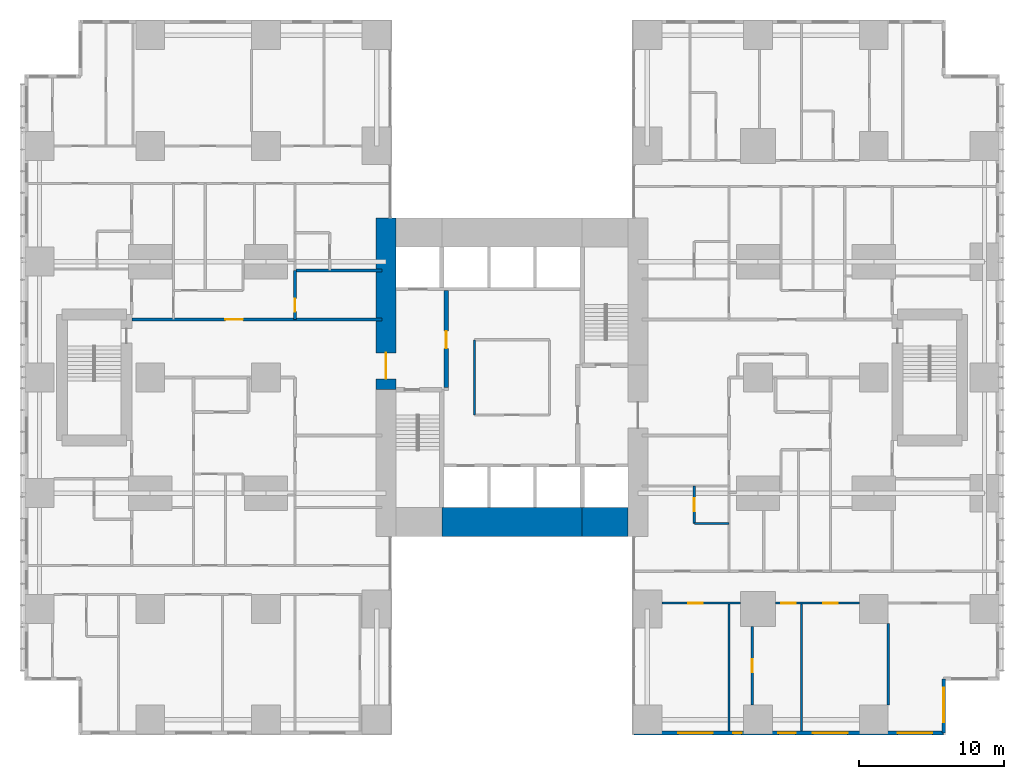
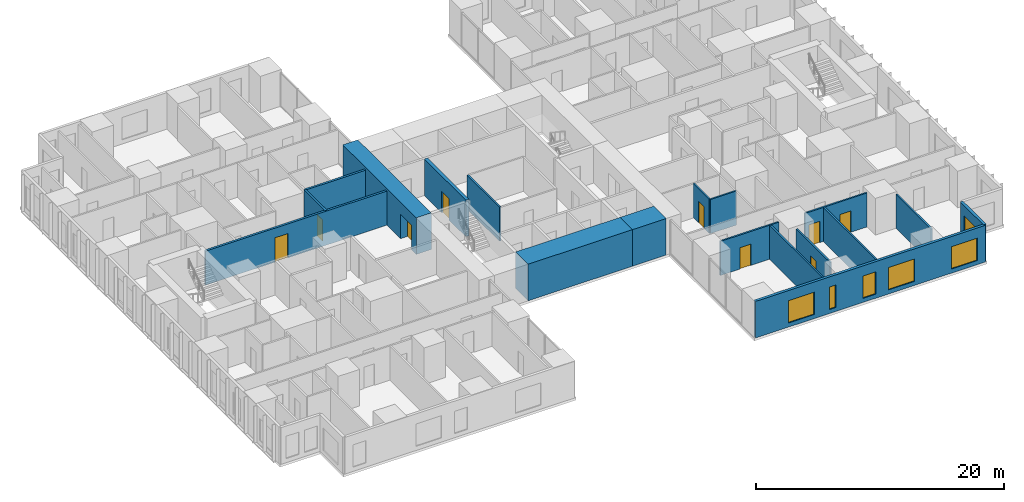
# One storey, part 14 of 20: 18 walls, 9 doors, 6 windows, 15 openings.
"""IFC4 building model written with IfcOpenShell, lengths in metres."""

from ifc_helpers import new_model, si_unit, direction, frame, frame_2d, origin, place, context, subcontext, project, spatial, rectangle, extrude, material, layer, layer_set, type_object, element, fill, save


model = new_model("IFC4")

# Units and contexts
model_context = context("Model", 3, precision=1e-05, world=origin(), true_north=direction((0.0, 1.0)))
body_context = subcontext(model_context, "Body", "Model", "MODEL_VIEW")
ifc_project = project(units=[si_unit("LENGTHUNIT", "METRE"), si_unit("AREAUNIT", "SQUARE_METRE"), si_unit("VOLUMEUNIT", "CUBIC_METRE"), si_unit("PLANEANGLEUNIT", "RADIAN"), si_unit("MASSUNIT", "GRAM", prefix="KILO")], contexts=[model_context])

# Site, building, storey
site_placement = place(None, origin())
site = spatial("IfcSite", under=ifc_project, at=site_placement, CompositionType="ELEMENT")
building_placement = place(site_placement, origin())
building = spatial("IfcBuilding", under=site, at=building_placement, Name="Cleftline Residences", CompositionType="ELEMENT")
storey_placement = place(building_placement, frame((0.0, 0.0, 150.199951171875)))
storey = spatial("IfcBuildingStorey", under=building, at=storey_placement, Name="L39", CompositionType="ELEMENT", Elevation=150.199951171875)

# Wall, opening, door
ifc_material_1 = material(Name="Concrete B70", Category="concrete")
ifc_layer_1 = layer(ifc_material_1, 1.39990234375)
ifc_layer_set_1 = layer_set([ifc_layer_1], Name="CORE WALL 1400")
wall_type_1 = type_object("IfcWallType", Name="CORE WALL 1400", PredefinedType="SHEAR", material=ifc_layer_set_1)
wall_1_placement = place(storey_placement, frame((24.300048828125, 23.14990234375, 0.0), z_axis=(0.0, 0.0, 1.0), x_axis=(0.0, 1.0, 0.0)))
wall_1 = element("IfcWall", 1, at=wall_1_placement, inside=storey, type_object=wall_type_1, Name="Core wall W", PredefinedType="SHEAR", context=body_context, shape_type="SweptSolid", body=[
    extrude(rectangle(XDim=11.85009765625, YDim=1.39990234375, at=frame_2d((5.925048828125, 0.0))), origin(), (0.0, 0.0, 1.0), 3.60009765625),
])
opening_1_placement = place(wall_1_placement, frame((0.75, 0.0, 0.0)))
opening_1 = element("IfcOpeningElement", 2, at=opening_1_placement, cuts=wall_1, Name="Opening D7", PredefinedType="OPENING", context=body_context, shape_type="SweptSolid", body=[
    extrude(rectangle(XDim=1.800048828125, YDim=2.39990234375, at=frame_2d((0.89990234375, 1.199951171875))), frame((0.0, 0.7099609375, 0.0), z_axis=(0.0, -1.0, 0.0), x_axis=(1.0, 0.0, 0.0)), (0.0, 0.0, 1.0), 1.419921875),
])
ifc_material_2 = material(Name="Steel", Category="steel")
door_type_1 = type_object("IfcDoorType", Name="WING DOOR 1800X2400", OperationType="DOUBLE_DOOR_DOUBLE_SWING", PredefinedType="DOOR", material=ifc_material_2)
door_1_placement = place(opening_1_placement, origin())
door_1 = element("IfcDoor", 3, at=door_1_placement, inside=storey, type_object=door_type_1, Name="West wing door", OperationType="DOUBLE_DOOR_DOUBLE_SWING", OverallHeight=2.39990234375, OverallWidth=1.800048828125, PredefinedType="DOOR", context=body_context, shape_type="SweptSolid", body=[
    extrude(rectangle(XDim=1.800048828125, YDim=2.39990234375, at=frame_2d((0.89990234375, 1.199951171875))), frame((0.0, 0.02490234375, 0.0), z_axis=(0.0, -1.0, 0.0), x_axis=(1.0, 0.0, 0.0)), (0.0, 0.0, 1.0), 0.050048828125),
])
fill(opening_1, door_1)

# Walls
ifc_material_3 = material(Name="Concrete B70", Category="concrete")
ifc_layer_2 = layer(ifc_material_3, 2.0)
ifc_layer_set_2 = layer_set([ifc_layer_2], Name="CORE WALL 2000")
wall_type_2 = type_object("IfcWallType", Name="CORE WALL 2000", PredefinedType="SHEAR", material=ifc_layer_set_2)
wall_2_placement = place(storey_placement, frame((28.14990234375, 14.0, 0.0), z_axis=(0.0, 0.0, 1.0), x_axis=(1.0, 0.0, 0.0)))
element("IfcWall", 4, at=wall_2_placement, inside=storey, type_object=wall_type_2, Name="Core wall S2", PredefinedType="SHEAR", context=body_context, shape_type="SweptSolid", body=[
    extrude(rectangle(XDim=9.7001953125, YDim=2.0, at=frame_2d((4.85009765625, 0.0))), origin(), (0.0, 0.0, 1.0), 3.60009765625),
])
wall_3_placement = place(storey_placement, frame((37.85009765625, 14.0, 0.0), z_axis=(0.0, 0.0, 1.0), x_axis=(1.0, 0.0, 0.0)))
element("IfcWall", 5, at=wall_3_placement, inside=storey, type_object=wall_type_2, Name="Core wall S3", PredefinedType="SHEAR", context=body_context, shape_type="SweptSolid", body=[
    extrude(rectangle(XDim=3.14990234375, YDim=2.0, at=frame_2d((1.574951171875, 0.0))), origin(), (0.0, 0.0, 1.0), 3.60009765625),
])

# Wall, openings, windows
ifc_material_4 = material(Name="Rendered reinforced concrete blockwork", Category="masonry")
ifc_layer_3 = layer(ifc_material_4, 0.25)
ifc_layer_set_3 = layer_set([ifc_layer_3], Name="EXTERNAL WALL 250")
wall_type_3 = type_object("IfcWallType", Name="EXTERNAL WALL 250", PredefinedType="SOLIDWALL", material=ifc_layer_set_3)
wall_4_placement = place(storey_placement, frame((41.425048828125, -0.574951171875, 0.0), z_axis=(0.0, 0.0, 1.0), x_axis=(1.0, 0.0, 0.0)))
wall_4 = element("IfcWall", 6, at=wall_4_placement, inside=storey, type_object=wall_type_3, Name="External wall", PredefinedType="SOLIDWALL", context=body_context, shape_type="SweptSolid", body=[
    extrude(rectangle(XDim=21.39990234375, YDim=0.25, at=frame_2d((10.699951171875, 0.0))), origin(), (0.0, 0.0, 1.0), 3.60009765625),
])
opening_2_placement = place(wall_4_placement, frame((3.050048828125, 0.0, 0.39990234375)))
opening_2 = element("IfcOpeningElement", 7, at=opening_2_placement, cuts=wall_4, Name="Opening W12", PredefinedType="OPENING", context=body_context, shape_type="SweptSolid", body=[
    extrude(rectangle(XDim=2.39990234375, YDim=2.199951171875, at=frame_2d((1.199951171875, 1.10009765625))), frame((0.0, 0.135009765625, 0.0), z_axis=(0.0, -1.0, 0.0), x_axis=(1.0, 0.0, 0.0)), (0.0, 0.0, 1.0), 0.27001953125),
])
opening_3_placement = place(wall_4_placement, frame((6.85009765625, 0.0, 0.39990234375)))
opening_3 = element("IfcOpeningElement", 8, at=opening_3_placement, cuts=wall_4, Name="Opening W10", PredefinedType="OPENING", context=body_context, shape_type="SweptSolid", body=[
    extrude(rectangle(XDim=0.60009765625, YDim=2.199951171875, at=frame_2d((0.300048828125, 1.10009765625))), frame((0.0, 0.135009765625, 0.0), z_axis=(0.0, -1.0, 0.0), x_axis=(1.0, 0.0, 0.0)), (0.0, 0.0, 1.0), 0.27001953125),
])
opening_4_placement = place(wall_4_placement, frame((9.97509765625, 0.0, 0.39990234375)))
opening_4 = element("IfcOpeningElement", 9, at=opening_4_placement, cuts=wall_4, Name="Opening W11", PredefinedType="OPENING", context=body_context, shape_type="SweptSolid", body=[
    extrude(rectangle(XDim=1.199951171875, YDim=2.199951171875, at=frame_2d((0.60009765625, 1.10009765625))), frame((0.0, 0.135009765625, 0.0), z_axis=(0.0, -1.0, 0.0), x_axis=(1.0, 0.0, 0.0)), (0.0, 0.0, 1.0), 0.27001953125),
])
opening_5_placement = place(wall_4_placement, frame((12.375, 0.0, 0.39990234375)))
opening_5 = element("IfcOpeningElement", 10, at=opening_5_placement, cuts=wall_4, Name="Opening W12", PredefinedType="OPENING", context=body_context, shape_type="SweptSolid", body=[
    extrude(rectangle(XDim=2.39990234375, YDim=2.199951171875, at=frame_2d((1.199951171875, 1.10009765625))), frame((0.0, 0.135009765625, 0.0), z_axis=(0.0, -1.0, 0.0), x_axis=(1.0, 0.0, 0.0)), (0.0, 0.0, 1.0), 0.27001953125),
])
opening_6_placement = place(wall_4_placement, frame((18.22509765625, 0.0, 0.39990234375)))
opening_6 = element("IfcOpeningElement", 11, at=opening_6_placement, cuts=wall_4, Name="Opening W12", PredefinedType="OPENING", context=body_context, shape_type="SweptSolid", body=[
    extrude(rectangle(XDim=2.39990234375, YDim=2.199951171875, at=frame_2d((1.199951171875, 1.10009765625))), frame((0.0, 0.135009765625, 0.0), z_axis=(0.0, -1.0, 0.0), x_axis=(1.0, 0.0, 0.0)), (0.0, 0.0, 1.0), 0.27001953125),
])
ifc_material_5 = material(Name="Aluminium frame, clear double glazing", Category="aluminium")
window_type_1 = type_object("IfcWindowType", Name="WINDOW 1200X2200", PartitioningType="DOUBLE_PANEL_VERTICAL", PredefinedType="WINDOW", material=ifc_material_5)
window_1_placement = place(opening_4_placement, origin())
window_1 = element("IfcWindow", 12, at=window_1_placement, inside=storey, type_object=window_type_1, Name="Window", OverallHeight=2.199951171875, OverallWidth=1.199951171875, PartitioningType="SINGLE_PANEL", PredefinedType="WINDOW", context=body_context, shape_type="SweptSolid", body=[
    extrude(rectangle(XDim=1.199951171875, YDim=2.199951171875, at=frame_2d((0.60009765625, 1.10009765625))), frame((0.0, 0.030029296875, 0.0), z_axis=(0.0, -1.0, 0.0), x_axis=(1.0, 0.0, 0.0)), (0.0, 0.0, 1.0), 0.06005859375),
])
fill(opening_4, window_1)
ifc_material_6 = material(Name="Aluminium frame, clear double glazing", Category="aluminium")
window_type_2 = type_object("IfcWindowType", Name="WINDOW 2400X2200", PartitioningType="DOUBLE_PANEL_VERTICAL", PredefinedType="WINDOW", material=ifc_material_6)
window_2_placement = place(opening_2_placement, origin())
window_2 = element("IfcWindow", 13, at=window_2_placement, inside=storey, type_object=window_type_2, Name="Window", OverallHeight=2.199951171875, OverallWidth=2.39990234375, PartitioningType="SINGLE_PANEL", PredefinedType="WINDOW", context=body_context, shape_type="SweptSolid", body=[
    extrude(rectangle(XDim=2.39990234375, YDim=2.199951171875, at=frame_2d((1.199951171875, 1.10009765625))), frame((0.0, 0.030029296875, 0.0), z_axis=(0.0, -1.0, 0.0), x_axis=(1.0, 0.0, 0.0)), (0.0, 0.0, 1.0), 0.06005859375),
])
fill(opening_2, window_2)
window_3_placement = place(opening_5_placement, origin())
window_3 = element("IfcWindow", 14, at=window_3_placement, inside=storey, type_object=window_type_2, Name="Window", OverallHeight=2.199951171875, OverallWidth=2.39990234375, PartitioningType="SINGLE_PANEL", PredefinedType="WINDOW", context=body_context, shape_type="SweptSolid", body=[
    extrude(rectangle(XDim=2.39990234375, YDim=2.199951171875, at=frame_2d((1.199951171875, 1.10009765625))), frame((0.0, 0.030029296875, 0.0), z_axis=(0.0, -1.0, 0.0), x_axis=(1.0, 0.0, 0.0)), (0.0, 0.0, 1.0), 0.06005859375),
])
fill(opening_5, window_3)
window_4_placement = place(opening_6_placement, origin())
window_4 = element("IfcWindow", 15, at=window_4_placement, inside=storey, type_object=window_type_2, Name="Window", OverallHeight=2.199951171875, OverallWidth=2.39990234375, PartitioningType="SINGLE_PANEL", PredefinedType="WINDOW", context=body_context, shape_type="SweptSolid", body=[
    extrude(rectangle(XDim=2.39990234375, YDim=2.199951171875, at=frame_2d((1.199951171875, 1.10009765625))), frame((0.0, 0.030029296875, 0.0), z_axis=(0.0, -1.0, 0.0), x_axis=(1.0, 0.0, 0.0)), (0.0, 0.0, 1.0), 0.06005859375),
])
fill(opening_6, window_4)
ifc_material_7 = material(Name="Aluminium frame, clear double glazing", Category="aluminium")
window_type_3 = type_object("IfcWindowType", Name="WINDOW 600X2200", PartitioningType="DOUBLE_PANEL_VERTICAL", PredefinedType="WINDOW", material=ifc_material_7)
window_5_placement = place(opening_3_placement, origin())
window_5 = element("IfcWindow", 16, at=window_5_placement, inside=storey, type_object=window_type_3, Name="Window", OverallHeight=2.199951171875, OverallWidth=0.60009765625, PartitioningType="SINGLE_PANEL", PredefinedType="WINDOW", context=body_context, shape_type="SweptSolid", body=[
    extrude(rectangle(XDim=0.60009765625, YDim=2.199951171875, at=frame_2d((0.300048828125, 1.10009765625))), frame((0.0, 0.030029296875, 0.0), z_axis=(0.0, -1.0, 0.0), x_axis=(1.0, 0.0, 0.0)), (0.0, 0.0, 1.0), 0.06005859375),
])
fill(opening_3, window_5)

# Wall, opening, window
wall_5_placement = place(storey_placement, frame((62.824951171875, -0.574951171875, 0.0), z_axis=(0.0, 0.0, 1.0), x_axis=(0.0, 1.0, 0.0)))
wall_5 = element("IfcWall", 17, at=wall_5_placement, inside=storey, type_object=wall_type_3, Name="External wall", PredefinedType="SOLIDWALL", context=body_context, shape_type="SweptSolid", body=[
    extrude(rectangle(XDim=3.75, YDim=0.25, at=frame_2d((1.875, 0.0))), origin(), (0.0, 0.0, 1.0), 3.60009765625),
])
opening_7_placement = place(wall_5_placement, frame((0.737548828125, 0.0, 0.39990234375)))
opening_7 = element("IfcOpeningElement", 18, at=opening_7_placement, cuts=wall_5, Name="Opening W12", PredefinedType="OPENING", context=body_context, shape_type="SweptSolid", body=[
    extrude(rectangle(XDim=2.39990234375, YDim=2.199951171875, at=frame_2d((1.199951171875, 1.10009765625))), frame((0.0, 0.135009765625, 0.0), z_axis=(0.0, -1.0, 0.0), x_axis=(1.0, 0.0, 0.0)), (0.0, 0.0, 1.0), 0.27001953125),
])
window_6_placement = place(opening_7_placement, origin())
window_6 = element("IfcWindow", 19, at=window_6_placement, inside=storey, type_object=window_type_2, Name="Window", OverallHeight=2.199951171875, OverallWidth=2.39990234375, PartitioningType="SINGLE_PANEL", PredefinedType="WINDOW", context=body_context, shape_type="SweptSolid", body=[
    extrude(rectangle(XDim=2.39990234375, YDim=2.199951171875, at=frame_2d((1.199951171875, 1.10009765625))), frame((0.0, 0.030029296875, 0.0), z_axis=(0.0, -1.0, 0.0), x_axis=(1.0, 0.0, 0.0)), (0.0, 0.0, 1.0), 0.06005859375),
])
fill(opening_7, window_6)

# Wall, opening, door
ifc_material_8 = material(Name="Concrete blockwork, fire rated", Category="masonry")
ifc_layer_4 = layer(ifc_material_8, 0.199951171875)
ifc_layer_set_4 = layer_set([ifc_layer_4], Name="FIRE WALL 200")
wall_type_4 = type_object("IfcWallType", Name="FIRE WALL 200", PredefinedType="PARTITIONING", material=ifc_layer_set_4)
wall_6_placement = place(storey_placement, frame((6.72509765625, 28.0, 0.0), z_axis=(0.0, 0.0, 1.0), x_axis=(1.0, 0.0, 0.0)))
wall_6 = element("IfcWall", 20, at=wall_6_placement, inside=storey, type_object=wall_type_4, Name="Fire separating wall", PredefinedType="PARTITIONING", context=body_context, shape_type="SweptSolid", body=[
    extrude(rectangle(XDim=17.27490234375, YDim=0.199951171875, at=frame_2d((8.637451171875, 0.0))), origin(), (0.0, 0.0, 1.0), 3.35009765625),
])
opening_8_placement = place(wall_6_placement, frame((6.47509765625, 0.0, 0.0)))
opening_8 = element("IfcOpeningElement", 21, at=opening_8_placement, cuts=wall_6, Name="Opening D4", PredefinedType="OPENING", context=body_context, shape_type="SweptSolid", body=[
    extrude(rectangle(XDim=1.199951171875, YDim=2.39990234375, at=frame_2d((0.60009765625, 1.199951171875))), frame((0.0, 0.10986328125, 0.0), z_axis=(0.0, -1.0, 0.0), x_axis=(1.0, 0.0, 0.0)), (0.0, 0.0, 1.0), 0.219970703125),
])
ifc_material_9 = material(Name="Timber veneer on solid core", Category="wood")
door_type_2 = type_object("IfcDoorType", Name="APARTMENT ENTRANCE DOOR 1200X2400", OperationType="SINGLE_SWING_RIGHT", PredefinedType="DOOR", material=ifc_material_9)
door_2_placement = place(opening_8_placement, origin())
door_2 = element("IfcDoor", 22, at=door_2_placement, inside=storey, type_object=door_type_2, Name="Door to residence entrance foyer", OperationType="SINGLE_SWING_RIGHT", OverallHeight=2.39990234375, OverallWidth=1.199951171875, PredefinedType="DOOR", context=body_context, shape_type="SweptSolid", body=[
    extrude(rectangle(XDim=1.199951171875, YDim=2.39990234375, at=frame_2d((0.60009765625, 1.199951171875))), frame((0.0, 0.02490234375, 0.0), z_axis=(0.0, -1.0, 0.0), x_axis=(1.0, 0.0, 0.0)), (0.0, 0.0, 1.0), 0.050048828125),
])
fill(opening_8, door_2)

# Wall
wall_7_placement = place(storey_placement, frame((18.0, 31.39990234375, 0.0), z_axis=(0.0, 0.0, 1.0), x_axis=(1.0, 0.0, 0.0)))
element("IfcWall", 23, at=wall_7_placement, inside=storey, type_object=wall_type_4, Name="Fire separating wall", PredefinedType="PARTITIONING", context=body_context, shape_type="SweptSolid", body=[
    extrude(rectangle(XDim=6.0, YDim=0.199951171875, at=frame_2d((3.0, 0.0))), origin(), (0.0, 0.0, 1.0), 3.35009765625),
])

# Wall, opening, door
wall_8_placement = place(storey_placement, frame((18.0, 28.0, 0.0), z_axis=(0.0, 0.0, 1.0), x_axis=(0.0, 1.0, 0.0)))
wall_8 = element("IfcWall", 24, at=wall_8_placement, inside=storey, type_object=wall_type_4, Name="Fire separating wall", PredefinedType="PARTITIONING", context=body_context, shape_type="SweptSolid", body=[
    extrude(rectangle(XDim=3.39990234375, YDim=0.199951171875, at=frame_2d((1.699951171875, 0.0))), origin(), (0.0, 0.0, 1.0), 3.35009765625),
])
opening_9_placement = place(wall_8_placement, frame((0.550048828125, 0.0, 0.0)))
opening_9 = element("IfcOpeningElement", 25, at=opening_9_placement, cuts=wall_8, Name="Opening D1F30", PredefinedType="OPENING", context=body_context, shape_type="SweptSolid", body=[
    extrude(rectangle(XDim=0.89990234375, YDim=2.10009765625, at=frame_2d((0.449951171875, 1.050048828125))), frame((0.0, 0.10986328125, 0.0), z_axis=(0.0, -1.0, 0.0), x_axis=(1.0, 0.0, 0.0)), (0.0, 0.0, 1.0), 0.219970703125),
])
ifc_material_10 = material(Name="Timber veneer on solid core", Category="wood")
door_type_3 = type_object("IfcDoorType", Name="DOOR 900X2100 EI 30", OperationType="SINGLE_SWING_LEFT", PredefinedType="DOOR", material=ifc_material_10)
door_3_placement = place(opening_9_placement, origin())
door_3 = element("IfcDoor", 26, at=door_3_placement, inside=storey, type_object=door_type_3, Name="Door to drying loggia and wc", OperationType="SINGLE_SWING_RIGHT", OverallHeight=2.10009765625, OverallWidth=0.89990234375, PredefinedType="DOOR", context=body_context, shape_type="SweptSolid", body=[
    extrude(rectangle(XDim=0.89990234375, YDim=2.10009765625, at=frame_2d((0.449951171875, 1.050048828125))), frame((0.0, 0.02490234375, 0.0), z_axis=(0.0, -1.0, 0.0), x_axis=(1.0, 0.0, 0.0)), (0.0, 0.0, 1.0), 0.050048828125),
])
fill(opening_9, door_3)

ifc_material_11 = material(Name="Gypsum board on steel studs", Category="steel")
ifc_layer_5 = layer(ifc_material_11, 0.14990234375)
ifc_layer_set_5 = layer_set([ifc_layer_5], Name="PARTITION 150")
wall_type_5 = type_object("IfcWallType", Name="PARTITION 150", PredefinedType="PARTITIONING", material=ifc_layer_set_5)
wall_9_placement = place(storey_placement, frame((43.35009765625, 8.39990234375, 0.0), z_axis=(0.0, 0.0, 1.0), x_axis=(1.0, 0.0, 0.0)))
wall_9 = element("IfcWall", 27, at=wall_9_placement, inside=storey, type_object=wall_type_5, Name="Partition", PredefinedType="PARTITIONING", context=body_context, shape_type="SweptSolid", body=[
    extrude(rectangle(XDim=5.449951171875, YDim=0.14990234375, at=frame_2d((2.72509765625, 0.0))), origin(), (0.0, 0.0, 1.0), 3.35009765625),
])
opening_10_placement = place(wall_9_placement, frame((1.824951171875, 0.0, 0.0)))
opening_10 = element("IfcOpeningElement", 28, at=opening_10_placement, cuts=wall_9, Name="Opening D2", PredefinedType="OPENING", context=body_context, shape_type="SweptSolid", body=[
    extrude(rectangle(XDim=1.0, YDim=2.10009765625, at=frame_2d((0.5, 1.050048828125))), frame((0.0, 0.0849609375, 0.0), z_axis=(0.0, -1.0, 0.0), x_axis=(1.0, 0.0, 0.0)), (0.0, 0.0, 1.0), 0.169921875),
])
ifc_material_12 = material(Name="Timber veneer on solid core", Category="wood")
door_type_4 = type_object("IfcDoorType", Name="DOOR 1000X2100", OperationType="SINGLE_SWING_LEFT", PredefinedType="DOOR", material=ifc_material_12)
door_4_placement = place(opening_10_placement, origin())
door_4 = element("IfcDoor", 29, at=door_4_placement, inside=storey, type_object=door_type_4, Name="Door to breakfast room", OperationType="SINGLE_SWING_RIGHT", OverallHeight=2.10009765625, OverallWidth=1.0, PredefinedType="DOOR", context=body_context, shape_type="SweptSolid", body=[
    extrude(rectangle(XDim=1.0, YDim=2.10009765625, at=frame_2d((0.5, 1.050048828125))), frame((0.0, 0.02490234375, 0.0), z_axis=(0.0, -1.0, 0.0), x_axis=(1.0, 0.0, 0.0)), (0.0, 0.0, 1.0), 0.050048828125),
])
fill(opening_10, door_4)

# Wall, openings, doors
wall_10_placement = place(storey_placement, frame((51.199951171875, 8.39990234375, 0.0), z_axis=(0.0, 0.0, 1.0), x_axis=(1.0, 0.0, 0.0)))
wall_10 = element("IfcWall", 30, at=wall_10_placement, inside=storey, type_object=wall_type_5, Name="Partition", PredefinedType="PARTITIONING", context=body_context, shape_type="SweptSolid", body=[
    extrude(rectangle(XDim=5.800048828125, YDim=0.14990234375, at=frame_2d((2.89990234375, 0.0))), origin(), (0.0, 0.0, 1.0), 3.35009765625),
])
opening_11_placement = place(wall_10_placement, frame((3.300048828125, 0.0, 0.0)))
opening_11 = element("IfcOpeningElement", 31, at=opening_11_placement, cuts=wall_10, Name="Opening D2", PredefinedType="OPENING", context=body_context, shape_type="SweptSolid", body=[
    extrude(rectangle(XDim=1.0, YDim=2.10009765625, at=frame_2d((0.5, 1.050048828125))), frame((0.0, 0.0849609375, 0.0), z_axis=(0.0, -1.0, 0.0), x_axis=(1.0, 0.0, 0.0)), (0.0, 0.0, 1.0), 0.169921875),
])
opening_12_placement = place(wall_10_placement, frame((0.39990234375, 0.0, 0.0)))
opening_12 = element("IfcOpeningElement", 32, at=opening_12_placement, cuts=wall_10, Name="Opening D2", PredefinedType="OPENING", context=body_context, shape_type="SweptSolid", body=[
    extrude(rectangle(XDim=1.0, YDim=2.10009765625, at=frame_2d((0.5, 1.050048828125))), frame((0.0, 0.0849609375, 0.0), z_axis=(0.0, -1.0, 0.0), x_axis=(1.0, 0.0, 0.0)), (0.0, 0.0, 1.0), 0.169921875),
])
door_5_placement = place(opening_11_placement, origin())
door_5 = element("IfcDoor", 33, at=door_5_placement, inside=storey, type_object=door_type_4, Name="Door to dining room", OperationType="SINGLE_SWING_LEFT", OverallHeight=2.10009765625, OverallWidth=1.0, PredefinedType="DOOR", context=body_context, shape_type="SweptSolid", body=[
    extrude(rectangle(XDim=1.0, YDim=2.10009765625, at=frame_2d((0.5, 1.050048828125))), frame((0.0, 0.02490234375, 0.0), z_axis=(0.0, -1.0, 0.0), x_axis=(1.0, 0.0, 0.0)), (0.0, 0.0, 1.0), 0.050048828125),
])
fill(opening_11, door_5)
door_6_placement = place(opening_12_placement, origin())
door_6 = element("IfcDoor", 34, at=door_6_placement, inside=storey, type_object=door_type_4, Name="Door to show kitchen", OperationType="SINGLE_SWING_RIGHT", OverallHeight=2.10009765625, OverallWidth=1.0, PredefinedType="DOOR", context=body_context, shape_type="SweptSolid", body=[
    extrude(rectangle(XDim=1.0, YDim=2.10009765625, at=frame_2d((0.5, 1.050048828125))), frame((0.0, 0.02490234375, 0.0), z_axis=(0.0, -1.0, 0.0), x_axis=(1.0, 0.0, 0.0)), (0.0, 0.0, 1.0), 0.050048828125),
])
fill(opening_12, door_6)

# Wall
wall_11_placement = place(storey_placement, frame((45.60009765625, 13.89990234375, 0.0), z_axis=(0.0, 0.0, 1.0), x_axis=(1.0, 0.0, 0.0)))
element("IfcWall", 35, at=wall_11_placement, inside=storey, type_object=wall_type_5, Name="Partition", PredefinedType="PARTITIONING", context=body_context, shape_type="SweptSolid", body=[
    extrude(rectangle(XDim=2.39990234375, YDim=0.14990234375, at=frame_2d((1.199951171875, 0.0))), origin(), (0.0, 0.0, 1.0), 3.35009765625),
])

# Wall, opening, door
wall_12_placement = place(storey_placement, frame((45.60009765625, 13.89990234375, 0.0), z_axis=(0.0, 0.0, 1.0), x_axis=(0.0, 1.0, 0.0)))
wall_12 = element("IfcWall", 36, at=wall_12_placement, inside=storey, type_object=wall_type_5, Name="Partition", PredefinedType="PARTITIONING", context=body_context, shape_type="SweptSolid", body=[
    extrude(rectangle(XDim=2.60009765625, YDim=0.14990234375, at=frame_2d((1.300048828125, 0.0))), origin(), (0.0, 0.0, 1.0), 3.35009765625),
])
opening_13_placement = place(wall_12_placement, frame((0.85009765625, 0.0, 0.0)))
opening_13 = element("IfcOpeningElement", 37, at=opening_13_placement, cuts=wall_12, Name="Opening D1", PredefinedType="OPENING", context=body_context, shape_type="SweptSolid", body=[
    extrude(rectangle(XDim=0.89990234375, YDim=2.10009765625, at=frame_2d((0.449951171875, 1.050048828125))), frame((0.0, 0.0849609375, 0.0), z_axis=(0.0, -1.0, 0.0), x_axis=(1.0, 0.0, 0.0)), (0.0, 0.0, 1.0), 0.169921875),
])
ifc_material_13 = material(Name="Timber veneer on solid core", Category="wood")
door_type_5 = type_object("IfcDoorType", Name="DOOR 900X2100", OperationType="SINGLE_SWING_LEFT", PredefinedType="DOOR", material=ifc_material_13)
door_7_placement = place(opening_13_placement, origin())
door_7 = element("IfcDoor", 38, at=door_7_placement, inside=storey, type_object=door_type_5, Name="Door to staff shower room", OperationType="SINGLE_SWING_LEFT", OverallHeight=2.10009765625, OverallWidth=0.89990234375, PredefinedType="DOOR", context=body_context, shape_type="SweptSolid", body=[
    extrude(rectangle(XDim=0.89990234375, YDim=2.10009765625, at=frame_2d((0.449951171875, 1.050048828125))), frame((0.0, 0.02490234375, 0.0), z_axis=(0.0, -1.0, 0.0), x_axis=(1.0, 0.0, 0.0)), (0.0, 0.0, 1.0), 0.050048828125),
])
fill(opening_13, door_7)

# Wall
wall_13_placement = place(storey_placement, frame((48.0, -0.449951171875, 0.0), z_axis=(0.0, 0.0, 1.0), x_axis=(0.0, 1.0, 0.0)))
element("IfcWall", 39, at=wall_13_placement, inside=storey, type_object=wall_type_5, Name="Partition", PredefinedType="PARTITIONING", context=body_context, shape_type="SweptSolid", body=[
    extrude(rectangle(XDim=8.849853515625, YDim=0.14990234375, at=frame_2d((4.4248046875, 0.0))), origin(), (0.0, 0.0, 1.0), 3.35009765625),
])

# Wall, opening, door
wall_14_placement = place(storey_placement, frame((49.60009765625, 1.35009765625, 0.0), z_axis=(0.0, 0.0, 1.0), x_axis=(0.0, 1.0, 0.0)))
wall_14 = element("IfcWall", 40, at=wall_14_placement, inside=storey, type_object=wall_type_5, Name="Partition", PredefinedType="PARTITIONING", context=body_context, shape_type="SweptSolid", body=[
    extrude(rectangle(XDim=5.449951171875, YDim=0.14990234375, at=frame_2d((2.72509765625, 0.0))), origin(), (0.0, 0.0, 1.0), 3.35009765625),
])
opening_14_placement = place(wall_14_placement, frame((2.27490234375, 0.0, 0.0)))
opening_14 = element("IfcOpeningElement", 41, at=opening_14_placement, cuts=wall_14, Name="Opening D1", PredefinedType="OPENING", context=body_context, shape_type="SweptSolid", body=[
    extrude(rectangle(XDim=0.89990234375, YDim=2.10009765625, at=frame_2d((0.449951171875, 1.050048828125))), frame((0.0, 0.0849609375, 0.0), z_axis=(0.0, -1.0, 0.0), x_axis=(1.0, 0.0, 0.0)), (0.0, 0.0, 1.0), 0.169921875),
])
door_8_placement = place(opening_14_placement, origin())
door_8 = element("IfcDoor", 42, at=door_8_placement, inside=storey, type_object=door_type_5, Name="Door to larder", OperationType="SINGLE_SWING_LEFT", OverallHeight=2.10009765625, OverallWidth=0.89990234375, PredefinedType="DOOR", context=body_context, shape_type="SweptSolid", body=[
    extrude(rectangle(XDim=0.89990234375, YDim=2.10009765625, at=frame_2d((0.449951171875, 1.050048828125))), frame((0.0, 0.02490234375, 0.0), z_axis=(0.0, -1.0, 0.0), x_axis=(1.0, 0.0, 0.0)), (0.0, 0.0, 1.0), 0.050048828125),
])
fill(opening_14, door_8)

# Walls
wall_15_placement = place(storey_placement, frame((53.0, -0.449951171875, 0.0), z_axis=(0.0, 0.0, 1.0), x_axis=(0.0, 1.0, 0.0)))
element("IfcWall", 43, at=wall_15_placement, inside=storey, type_object=wall_type_5, Name="Partition", PredefinedType="PARTITIONING", context=body_context, shape_type="SweptSolid", body=[
    extrude(rectangle(XDim=8.849853515625, YDim=0.14990234375, at=frame_2d((4.4248046875, 0.0))), origin(), (0.0, 0.0, 1.0), 3.35009765625),
])
wall_16_placement = place(storey_placement, frame((59.0, 1.35009765625, 0.0), z_axis=(0.0, 0.0, 1.0), x_axis=(0.0, 1.0, 0.0)))
element("IfcWall", 44, at=wall_16_placement, inside=storey, type_object=wall_type_5, Name="Partition", PredefinedType="PARTITIONING", context=body_context, shape_type="SweptSolid", body=[
    extrude(rectangle(XDim=5.64990234375, YDim=0.14990234375, at=frame_2d((2.824951171875, 0.0))), origin(), (0.0, 0.0, 1.0), 3.35009765625),
])
ifc_material_14 = material(Name="Fire-resisting gypsum board on steel studs", Category="steel")
ifc_layer_6 = layer(ifc_material_14, 0.14990234375)
ifc_layer_set_6 = layer_set([ifc_layer_6], Name="PARTITION 150 EI 60")
wall_type_6 = type_object("IfcWallType", Name="PARTITION 150 EI 60", PredefinedType="PARTITIONING", material=ifc_layer_set_6)
wall_17_placement = place(storey_placement, frame((30.39990234375, 21.39990234375, 0.0), z_axis=(0.0, 0.0, 1.0), x_axis=(0.0, 1.0, 0.0)))
element("IfcWall", 45, at=wall_17_placement, inside=storey, type_object=wall_type_6, Name="Core room partition", PredefinedType="PARTITIONING", context=body_context, shape_type="SweptSolid", body=[
    extrude(rectangle(XDim=5.2001953125, YDim=0.14990234375, at=frame_2d((2.60009765625, 0.0))), origin(), (0.0, 0.0, 1.0), 3.35009765625),
])

# Wall, opening, door
ifc_material_15 = material(Name="Concrete blockwork, fire rated", Category="masonry")
ifc_layer_7 = layer(ifc_material_15, 0.300048828125)
ifc_layer_set_7 = layer_set([ifc_layer_7], Name="STAIR LOBBY WALL 300")
wall_type_7 = type_object("IfcWallType", Name="STAIR LOBBY WALL 300", PredefinedType="PARTITIONING", material=ifc_layer_set_7)
wall_18_placement = place(storey_placement, frame((28.449951171875, 23.300048828125, 0.0), z_axis=(0.0, 0.0, 1.0), x_axis=(0.0, 1.0, 0.0)))
wall_18 = element("IfcWall", 46, at=wall_18_placement, inside=storey, type_object=wall_type_7, Name="Stair and lobby wall FA-E", PredefinedType="PARTITIONING", context=body_context, shape_type="SweptSolid", body=[
    extrude(rectangle(XDim=6.699951171875, YDim=0.300048828125, at=frame_2d((3.35009765625, 0.0))), origin(), (0.0, 0.0, 1.0), 3.60009765625),
])
opening_15_placement = place(wall_18_placement, frame((2.699951171875, 0.0, 0.0)))
opening_15 = element("IfcOpeningElement", 47, at=opening_15_placement, cuts=wall_18, Name="Opening D6", PredefinedType="OPENING", context=body_context, shape_type="SweptSolid", body=[
    extrude(rectangle(XDim=1.199951171875, YDim=2.10009765625, at=frame_2d((0.60009765625, 1.050048828125))), frame((0.0, 0.159912109375, 0.0), z_axis=(0.0, -1.0, 0.0), x_axis=(1.0, 0.0, 0.0)), (0.0, 0.0, 1.0), 0.320068359375),
])
ifc_material_16 = material(Name="Steel", Category="steel")
door_type_6 = type_object("IfcDoorType", Name="LOBBY DOOR 1200X2100", OperationType="SINGLE_SWING_RIGHT", PredefinedType="DOOR", material=ifc_material_16)
door_9_placement = place(opening_15_placement, origin())
door_9 = element("IfcDoor", 48, at=door_9_placement, inside=storey, type_object=door_type_6, Name="Firefighting lobby A door", OperationType="SINGLE_SWING_RIGHT", OverallHeight=2.10009765625, OverallWidth=1.199951171875, PredefinedType="DOOR", context=body_context, shape_type="SweptSolid", body=[
    extrude(rectangle(XDim=1.199951171875, YDim=2.10009765625, at=frame_2d((0.60009765625, 1.050048828125))), frame((0.0, 0.02490234375, 0.0), z_axis=(0.0, -1.0, 0.0), x_axis=(1.0, 0.0, 0.0)), (0.0, 0.0, 1.0), 0.050048828125),
])
fill(opening_15, door_9)

save(model, "model.ifc")
